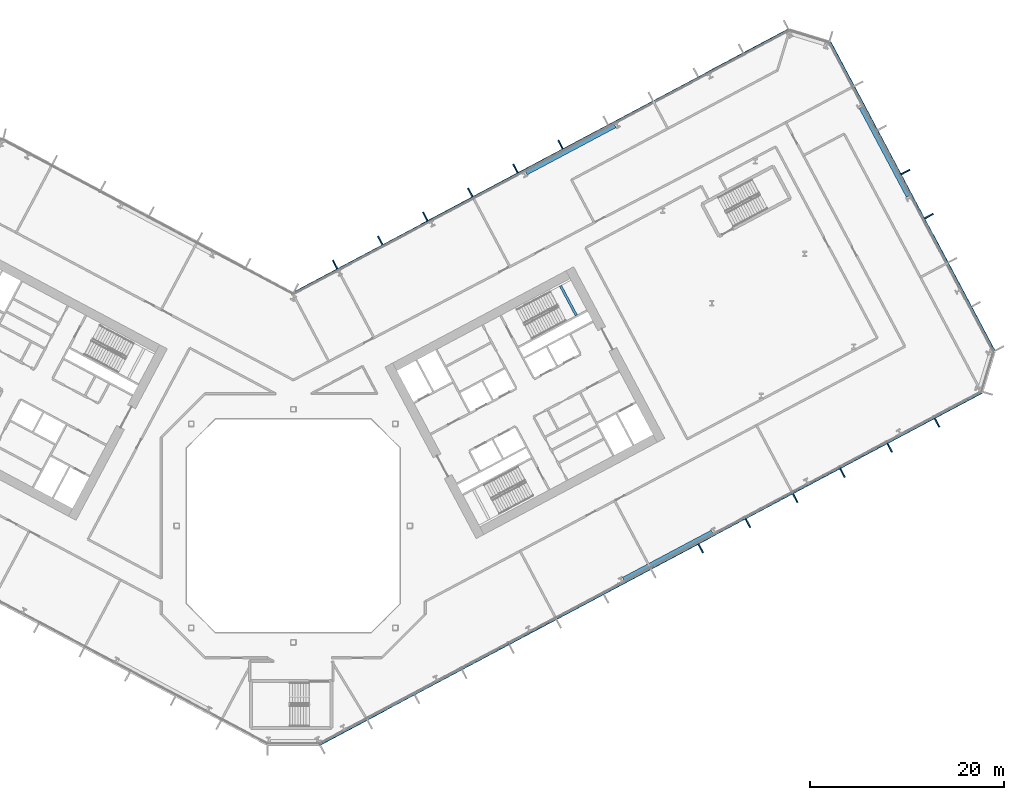
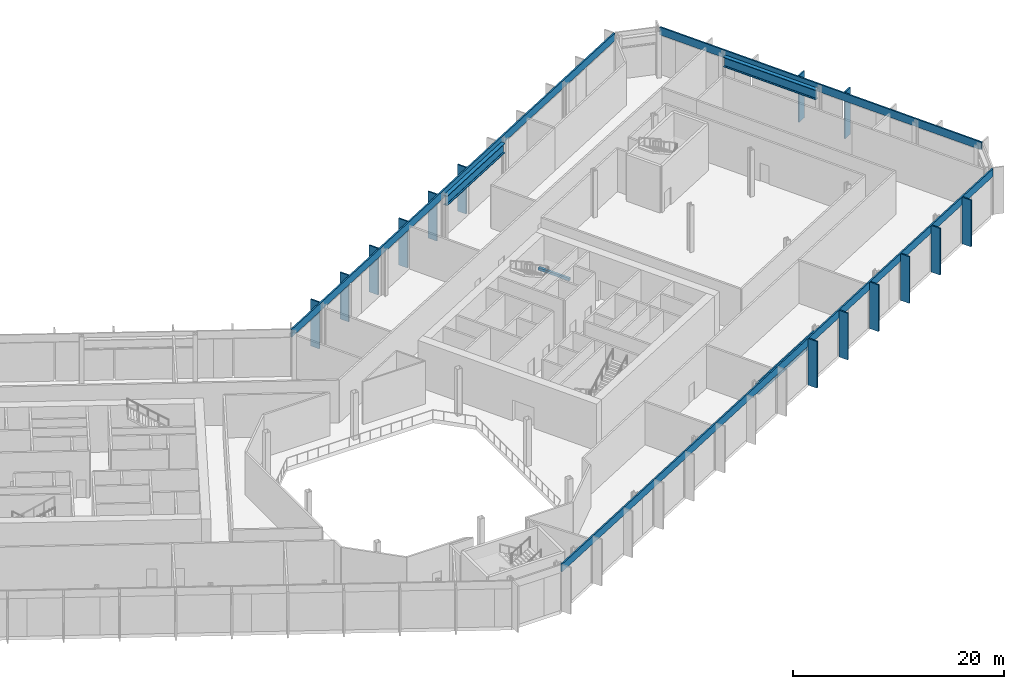
# One storey, part 7 of 32: 17 members, 4 beams, 3 elements without a shape of their own.
"""IFC4 building model written with IfcOpenShell, lengths in metres."""

from ifc_helpers import new_model, si_unit, direction, frame, origin, origin_2d, place, context, subcontext, project, spatial, rectangle, i_section, extrude, material, layer, layer_set, material_profile, profile_set, type_object, element, aggregate, save


model = new_model("IFC4")

# Units and contexts
model_context = context("Model", 3, precision=1e-05, world=origin(), true_north=direction((0.0, 1.0)))
body_context = subcontext(model_context, "Body", "Model", "MODEL_VIEW")
ifc_project = project(units=[si_unit("LENGTHUNIT", "METRE"), si_unit("AREAUNIT", "SQUARE_METRE"), si_unit("VOLUMEUNIT", "CUBIC_METRE"), si_unit("PLANEANGLEUNIT", "RADIAN"), si_unit("MASSUNIT", "GRAM", prefix="KILO")], contexts=[model_context])

# Site, building, storey
site_placement = place(None, origin())
site = spatial("IfcSite", under=ifc_project, at=site_placement, CompositionType="ELEMENT")
building_placement = place(site_placement, origin())
building = spatial("IfcBuilding", under=site, at=building_placement, Name="Cormorant Relay Tower", CompositionType="ELEMENT")
storey_placement = place(building_placement, frame((0.0, 0.0, 17.60009765625)))
storey = spatial("IfcBuildingStorey", under=building, at=storey_placement, Name="L03", CompositionType="ELEMENT", Elevation=17.60009765625)

# Curtain wall, members
ifc_material_1 = material(Name="Aluminium 6063-T6 anodised bronze", Category="aluminium")
ifc_layer = layer(ifc_material_1, 0.235107421875)
ifc_layer_set = layer_set([ifc_layer], Name="CW6 data hall curtain wall with mineral wool panels")
curtain_wall_type = type_object("IfcCurtainWallType", Name="CW6 data hall curtain wall with mineral wool panels", PredefinedType="NOTDEFINED", material=ifc_layer_set)
curtain_wall_1_placement = place(storey_placement, origin())
curtain_wall_1 = element("IfcCurtainWall", 1, at=curtain_wall_1_placement, inside=storey, type_object=curtain_wall_type, Name="CW6 curtain wall 2", PredefinedType="NOTDEFINED")
ifc_material_2 = material(Name="Aluminium 6063-T6 anodised bronze", Category="aluminium")
ifc_material_profile_1 = material_profile(ifc_material_2, rectangle(XDim=0.14990234375, YDim=1.0, at=origin_2d()), Name="AL 150x1000")
ifc_profile_set_1 = profile_set([ifc_material_profile_1], Name="Aluminium 6063-T6 anodised bronze")
member_type_1 = type_object("IfcMemberType", Name="CW6 bronze fin mullion 150 x 1000", PredefinedType="MULLION", material=ifc_profile_set_1)
member_1_placement = place(storey_placement, frame((41.92724609375, -2.3232421875, 0.0), z_axis=(0.0, 0.0, 1.0), x_axis=(0.882947592859, 0.469471562786, 0.0)))
member_1 = element("IfcMember", 2, at=member_1_placement, type_object=member_type_1, Name="CW6 fin 2.9", PredefinedType="MULLION", context=body_context, shape_type="SweptSolid", body=[
    extrude(rectangle(XDim=0.14990234375, YDim=1.0, at=origin_2d()), origin(), (0.0, 0.0, 1.0), 5.39990234375),
])
member_2_placement = place(storey_placement, frame((46.7939453125, 0.264404296875, 0.0), z_axis=(0.0, 0.0, 1.0), x_axis=(0.882947592859, 0.469471562786, 0.0)))
member_2 = element("IfcMember", 3, at=member_2_placement, type_object=member_type_1, Name="CW6 fin 2.10", PredefinedType="MULLION", context=body_context, shape_type="SweptSolid", body=[
    extrude(rectangle(XDim=0.14990234375, YDim=1.0, at=origin_2d()), origin(), (0.0, 0.0, 1.0), 5.39990234375),
])
member_3_placement = place(storey_placement, frame((51.66064453125, 2.85205078125, 0.0), z_axis=(0.0, 0.0, 1.0), x_axis=(0.882947592859, 0.469471562786, 0.0)))
member_3 = element("IfcMember", 4, at=member_3_placement, type_object=member_type_1, Name="CW6 fin 2.11", PredefinedType="MULLION", context=body_context, shape_type="SweptSolid", body=[
    extrude(rectangle(XDim=0.14990234375, YDim=1.0, at=origin_2d()), origin(), (0.0, 0.0, 1.0), 5.39990234375),
])
member_4_placement = place(storey_placement, frame((56.52734375, 5.439697265625, 0.0), z_axis=(0.0, 0.0, 1.0), x_axis=(0.882947592859, 0.469471562786, 0.0)))
member_4 = element("IfcMember", 5, at=member_4_placement, type_object=member_type_1, Name="CW6 fin 2.12", PredefinedType="MULLION", context=body_context, shape_type="SweptSolid", body=[
    extrude(rectangle(XDim=0.14990234375, YDim=1.0, at=origin_2d()), origin(), (0.0, 0.0, 1.0), 5.39990234375),
])
member_5_placement = place(storey_placement, frame((61.39404296875, 8.02734375, 0.0), z_axis=(0.0, 0.0, 1.0), x_axis=(0.882947592859, 0.469471562786, 0.0)))
member_5 = element("IfcMember", 6, at=member_5_placement, type_object=member_type_1, Name="CW6 fin 2.13", PredefinedType="MULLION", context=body_context, shape_type="SweptSolid", body=[
    extrude(rectangle(XDim=0.14990234375, YDim=1.0, at=origin_2d()), origin(), (0.0, 0.0, 1.0), 5.39990234375),
])
member_6_placement = place(storey_placement, frame((66.2607421875, 10.614990234375, 0.0), z_axis=(0.0, 0.0, 1.0), x_axis=(0.882947592859, 0.469471562786, 0.0)))
member_6 = element("IfcMember", 7, at=member_6_placement, type_object=member_type_1, Name="CW6 fin 2.14", PredefinedType="MULLION", context=body_context, shape_type="SweptSolid", body=[
    extrude(rectangle(XDim=0.14990234375, YDim=1.0, at=origin_2d()), origin(), (0.0, 0.0, 1.0), 5.39990234375),
])

curtain_wall_2_placement = place(storey_placement, origin())
curtain_wall_2 = element("IfcCurtainWall", 8, at=curtain_wall_2_placement, inside=storey, type_object=curtain_wall_type, Name="CW6 curtain wall 4", PredefinedType="NOTDEFINED")
member_7_placement = place(storey_placement, frame((65.428466796875, 31.876708984375, 0.0), z_axis=(0.0, 0.0, 1.0), x_axis=(-0.469471562786, 0.882947592859, 0.0)))
member_7 = element("IfcMember", 9, at=member_7_placement, type_object=member_type_1, Name="CW6 fin 4.4", PredefinedType="MULLION", context=body_context, shape_type="SweptSolid", body=[
    extrude(rectangle(XDim=0.14990234375, YDim=1.0, at=origin_2d()), origin(), (0.0, 0.0, 1.0), 5.39990234375),
])
member_8_placement = place(storey_placement, frame((63.013916015625, 36.41748046875, 0.0), z_axis=(0.0, 0.0, 1.0), x_axis=(-0.469471562786, 0.882947592859, 0.0)))
member_8 = element("IfcMember", 10, at=member_8_placement, type_object=member_type_1, Name="CW6 fin 4.5", PredefinedType="MULLION", context=body_context, shape_type="SweptSolid", body=[
    extrude(rectangle(XDim=0.14990234375, YDim=1.0, at=origin_2d()), origin(), (0.0, 0.0, 1.0), 5.39990234375),
])

curtain_wall_3_placement = place(storey_placement, origin())
curtain_wall_3 = element("IfcCurtainWall", 11, at=curtain_wall_3_placement, inside=storey, type_object=curtain_wall_type, Name="CW6 curtain wall 6", PredefinedType="NOTDEFINED")
member_9_placement = place(storey_placement, frame((27.50830078125, 39.242919921875, 0.0), z_axis=(0.0, 0.0, 1.0), x_axis=(-0.882947592859, -0.469471562786, 0.0)))
member_9 = element("IfcMember", 12, at=member_9_placement, type_object=member_type_1, Name="CW6 fin 6.6", PredefinedType="MULLION", context=body_context, shape_type="SweptSolid", body=[
    extrude(rectangle(XDim=0.14990234375, YDim=1.0, at=origin_2d()), origin(), (0.0, 0.0, 1.0), 5.39990234375),
])
member_10_placement = place(storey_placement, frame((22.8662109375, 36.7744140625, 0.0), z_axis=(0.0, 0.0, 1.0), x_axis=(-0.882947592859, -0.469471562786, 0.0)))
member_10 = element("IfcMember", 13, at=member_10_placement, type_object=member_type_1, Name="CW6 fin 6.7", PredefinedType="MULLION", context=body_context, shape_type="SweptSolid", body=[
    extrude(rectangle(XDim=0.14990234375, YDim=1.0, at=origin_2d()), origin(), (0.0, 0.0, 1.0), 5.39990234375),
])
member_11_placement = place(storey_placement, frame((18.223876953125, 34.30615234375, 0.0), z_axis=(0.0, 0.0, 1.0), x_axis=(-0.882947592859, -0.469471562786, 0.0)))
member_11 = element("IfcMember", 14, at=member_11_placement, type_object=member_type_1, Name="CW6 fin 6.8", PredefinedType="MULLION", context=body_context, shape_type="SweptSolid", body=[
    extrude(rectangle(XDim=0.14990234375, YDim=1.0, at=origin_2d()), origin(), (0.0, 0.0, 1.0), 5.39990234375),
])
member_12_placement = place(storey_placement, frame((13.58154296875, 31.837890625, 0.0), z_axis=(0.0, 0.0, 1.0), x_axis=(-0.882947592859, -0.469471562786, 0.0)))
member_12 = element("IfcMember", 15, at=member_12_placement, type_object=member_type_1, Name="CW6 fin 6.9", PredefinedType="MULLION", context=body_context, shape_type="SweptSolid", body=[
    extrude(rectangle(XDim=0.14990234375, YDim=1.0, at=origin_2d()), origin(), (0.0, 0.0, 1.0), 5.39990234375),
])
member_13_placement = place(storey_placement, frame((8.939453125, 29.36962890625, 0.0), z_axis=(0.0, 0.0, 1.0), x_axis=(-0.882947592859, -0.469471562786, 0.0)))
member_13 = element("IfcMember", 16, at=member_13_placement, type_object=member_type_1, Name="CW6 fin 6.10", PredefinedType="MULLION", context=body_context, shape_type="SweptSolid", body=[
    extrude(rectangle(XDim=0.14990234375, YDim=1.0, at=origin_2d()), origin(), (0.0, 0.0, 1.0), 5.39990234375),
])
member_14_placement = place(storey_placement, frame((4.297119140625, 26.9013671875, 0.0), z_axis=(0.0, 0.0, 1.0), x_axis=(-0.882947592859, -0.469471562786, 0.0)))
member_14 = element("IfcMember", 17, at=member_14_placement, type_object=member_type_1, Name="CW6 fin 6.11", PredefinedType="MULLION", context=body_context, shape_type="SweptSolid", body=[
    extrude(rectangle(XDim=0.14990234375, YDim=1.0, at=origin_2d()), origin(), (0.0, 0.0, 1.0), 5.39990234375),
])

# Member
ifc_material_3 = material(Name="Aluminium 6063-T6 anodised bronze", Category="aluminium")
ifc_material_profile_2 = material_profile(ifc_material_3, rectangle(XDim=0.159912109375, YDim=0.89990234375, at=origin_2d()), Name="AL 160x900")
ifc_profile_set_2 = profile_set([ifc_material_profile_2], Name="Aluminium 6063-T6 anodised bronze")
member_type_2 = type_object("IfcMemberType", Name="CW6 bronze transom 160 x 900", PredefinedType="USERDEFINED", material=ifc_profile_set_2)
member_15_placement = place(storey_placement, frame((2.7216796875, -22.512451171875, 4.949951171875), z_axis=(0.882946645884, 0.469473343783, 0.0), x_axis=(-0.469473343783, 0.882946645884, 0.0)))
member_15 = element("IfcMember", 18, at=member_15_placement, type_object=member_type_2, Name="CW6 transom 2", ObjectType="TRANSOM", PredefinedType="USERDEFINED", context=body_context, shape_type="SweptSolid", body=[
    extrude(rectangle(XDim=0.159912109375, YDim=0.89990234375, at=origin_2d()), origin(), (0.0, 0.0, 1.0), 77.165771484375),
])

aggregate(curtain_wall_1, [member_1, member_2, member_3, member_4, member_5, member_6, member_15])

member_16_placement = place(storey_placement, frame((72.15966796875, 17.981689453125, 4.949951171875), z_axis=(-0.469474517326, 0.882946021896, 0.0), x_axis=(-0.882946021896, -0.469474517326, 0.0)))
member_16 = element("IfcMember", 19, at=member_16_placement, type_object=member_type_2, Name="CW6 transom 4", ObjectType="TRANSOM", PredefinedType="USERDEFINED", context=body_context, shape_type="SweptSolid", body=[
    extrude(rectangle(XDim=0.159912109375, YDim=0.89990234375, at=origin_2d()), origin(), (0.0, 0.0, 1.0), 36.0),
])

aggregate(curtain_wall_2, [member_7, member_8, member_16])

member_17_placement = place(storey_placement, frame((50.99169921875, 51.072265625, 4.949951171875), z_axis=(-0.882948196078, -0.469470428295, 0.0), x_axis=(0.469470428295, -0.882948196078, 0.0)))
member_17 = element("IfcMember", 20, at=member_17_placement, type_object=member_type_2, Name="CW6 transom 6", ObjectType="TRANSOM", PredefinedType="USERDEFINED", context=body_context, shape_type="SweptSolid", body=[
    extrude(rectangle(XDim=0.159912109375, YDim=0.89990234375, at=origin_2d()), origin(), (0.0, 0.0, 1.0), 57.833984375),
])

aggregate(curtain_wall_3, [member_9, member_10, member_11, member_12, member_13, member_14, member_17])

# Beams
ifc_material_4 = material(Name="Steel ASTM A992 (Fy 345 MPa)", Category="steel")
ifc_material_profile_3 = material_profile(ifc_material_4, i_section(OverallWidth=0.408935546875, OverallDepth=1.137939453125, WebThickness=0.031005859375, FlangeThickness=0.05517578125, FilletRadius=0.02001953125, at=origin_2d()), Name="W1100x607")
ifc_profile_set_3 = profile_set([ifc_material_profile_3], Name="Steel ASTM A992 (Fy 345 MPa)")
beam_type_1 = type_object("IfcBeamType", Name="Spandrel W1100x607", PredefinedType="SPANDREL", material=ifc_profile_set_3)
for number, where, z_axis, x_axis, name in (
    (21, (33.9716796875, -5.4892578125, 4.380859375), (0.882947604656, 0.469471540599, 0.0), (-0.469471540599, 0.882947604656, 0.0), "Spandrel beam L03-002"),
    (22, (63.289306640625, 33.898681640625, 4.380859375), (-0.469471540599, 0.882947604656, 0.0), (-0.882947604656, -0.469471540599, 0.0), "Spandrel beam L03-004"),
):
    element("IfcBeam", number, at=place(storey_placement, frame(where, z_axis=z_axis, x_axis=x_axis)), inside=storey, type_object=beam_type_1, Name=name, PredefinedType="SPANDREL", context=body_context, shape_type="SweptSolid", body=[
        extrude(i_section(OverallWidth=0.408935546875, OverallDepth=1.137939453125, WebThickness=0.031005859375, FlangeThickness=0.05517578125, FilletRadius=0.02001953125, at=origin_2d()), origin(), (0.0, 0.0, 1.0), 10.36376953125),
    ])
beam_1_placement = place(storey_placement, frame((33.132080078125, 41.169189453125, 4.380859375), z_axis=(-0.882942412403, -0.469481305677, 0.0), x_axis=(0.469481305677, -0.882942412403, 0.0)))
element("IfcBeam", 23, at=beam_1_placement, inside=storey, type_object=beam_type_1, Name="Spandrel beam L03-006", PredefinedType="SPANDREL", context=body_context, shape_type="SweptSolid", body=[
    extrude(i_section(OverallWidth=0.408935546875, OverallDepth=1.137939453125, WebThickness=0.031005859375, FlangeThickness=0.05517578125, FilletRadius=0.02001953125, at=origin_2d()), origin(), (0.0, 0.0, 1.0), 10.363525390625),
])
ifc_material_5 = material(Name="Concrete 50 MPa", Category="concrete")
ifc_material_profile_4 = material_profile(ifc_material_5, rectangle(XDim=0.25, YDim=0.300048828125, at=origin_2d()), Name="RC 250x300")
ifc_profile_set_4 = profile_set([ifc_material_profile_4], Name="Concrete 50 MPa")
beam_type_2 = type_object("IfcBeamType", Name="Stair landing ledge beam 250x300", PredefinedType="BEAM", material=ifc_profile_set_4)
beam_2_placement = place(storey_placement, frame((29.1259765625, 21.6591796875, 2.349853515625), z_axis=(-0.469493252696, 0.882936059788, 0.0), x_axis=(-0.882936059788, -0.469493252696, 0.0)))
element("IfcBeam", 24, at=beam_2_placement, inside=storey, type_object=beam_type_2, Name="B2 landing ledge beam", PredefinedType="BEAM", context=body_context, shape_type="SweptSolid", body=[
    extrude(rectangle(XDim=0.25, YDim=0.300048828125, at=origin_2d()), origin(), (0.0, 0.0, 1.0), 3.44970703125),
])

save(model, "model.ifc")
